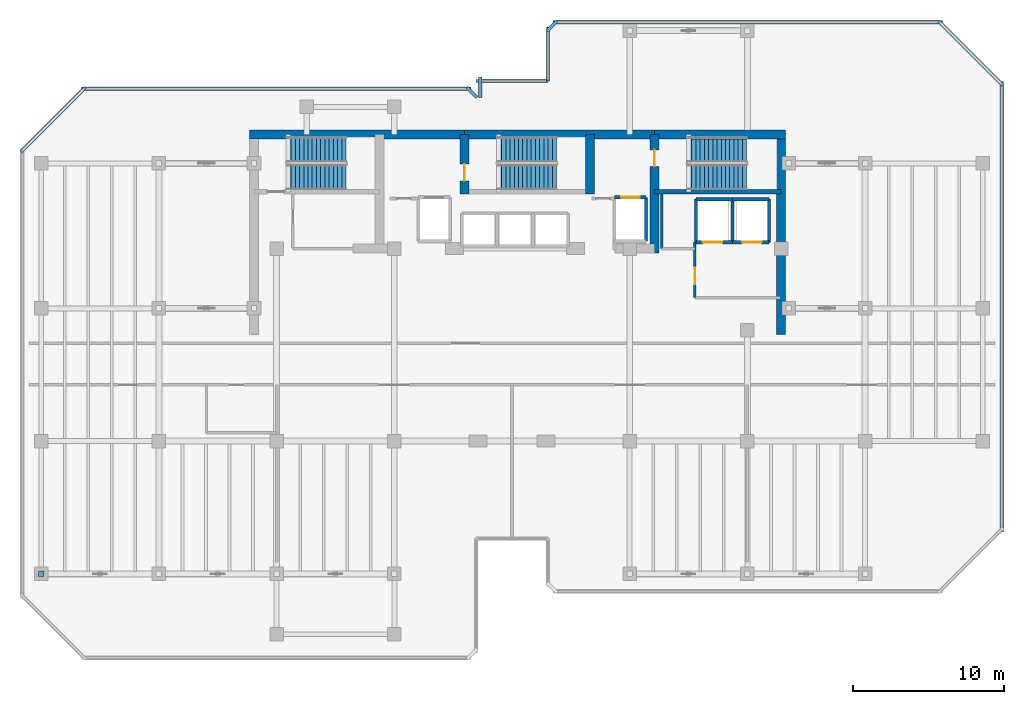
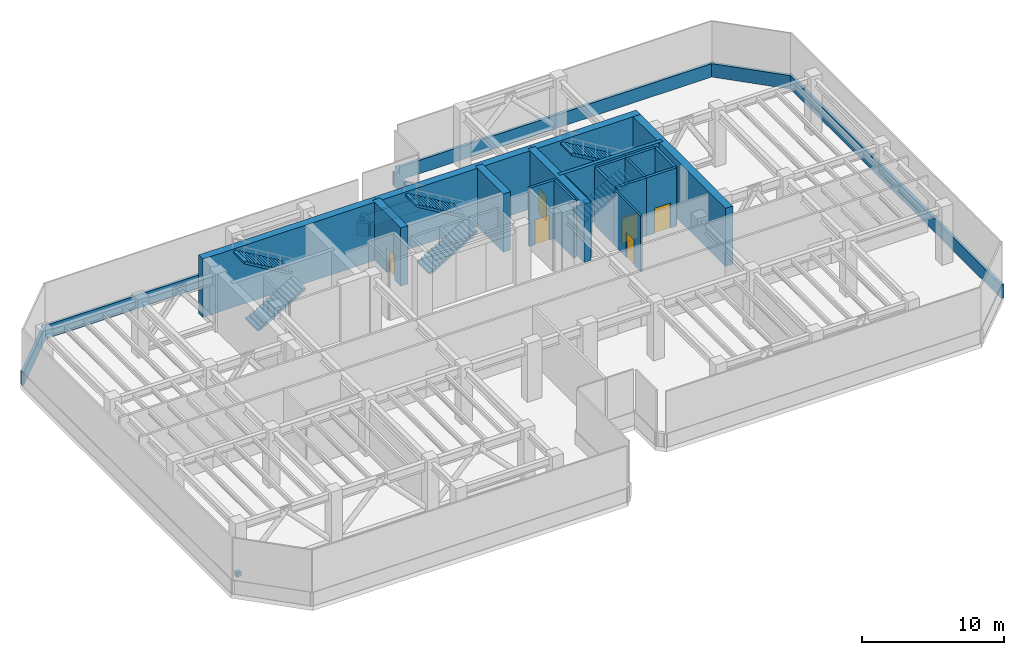
# One storey, part 4 of 9: 29 walls, 6 doors, 6 stair flights, 1 discrete accessory, 6 openings, 3 elements without a shape of their own.
"""IFC4 building model written with IfcOpenShell, lengths in metres."""

import ifcopenshell
import ifcopenshell.guid

model = None  # the IFC model being written
_history = None  # IfcOwnerHistory: only IFC2X3 demands one
_inside = {}  # id of a spatial element -> (the spatial element, [elements in it])
_under = {}  # id of a project, library or spatial element -> (it, [spatial elements below it])
_declared = {}  # id of a project -> (the project, [libraries it declares])
_typed = {}  # id of a type object -> (the type object, [elements of that type])
_made_of = {}  # id of a material, layer set ... -> (it, [elements and type objects made of it])


def new_model(schema):
    """Start an empty IFC model of exactly this schema.

    Asked for "IFC4X3", IfcOpenShell would pick the latest addendum, in which some entities
    have other attributes; the version numbers below select the first issue.
    IFC2X3 requires an IfcOwnerHistory on every rooted entity: one is made here for all.
    """
    global model, _history
    if schema == "IFC4X3":
        model = ifcopenshell.file(schema_version=(4, 3, 0, 0))
    else:
        model = ifcopenshell.file(schema=schema)
    _inside.clear()
    _under.clear()
    _declared.clear()
    _typed.clear()
    _made_of.clear()
    _history = None
    if model.schema == "IFC2X3":
        org = make("IfcOrganization", Name="unknown")
        user = make(
            "IfcPersonAndOrganization",
            ThePerson=make("IfcPerson", FamilyName="unknown"),
            TheOrganization=org,
        )
        app = make(
            "IfcApplication",
            ApplicationDeveloper=org,
            Version="unknown",
            ApplicationFullName="unknown",
            ApplicationIdentifier="unknown",
        )
        _history = make(
            "IfcOwnerHistory",
            OwningUser=user,
            OwningApplication=app,
            ChangeAction="ADDED",
            CreationDate=0,
        )
    return model


def make(cls, **values):
    """One entity of the class cls with the attributes given. An attribute that is None is left unset."""
    return model.create_entity(
        cls, **{name: value for name, value in values.items() if value is not None}
    )


def rooted(cls, **values):
    """An entity with a GlobalId (a new one), such as an element, a storey or a relation."""
    return make(cls, GlobalId=ifcopenshell.guid.new(), OwnerHistory=_history, **values)


def si_unit(unit_type, name, prefix=None):
    """IfcSIUnit, for example si_unit("LENGTHUNIT", "METRE", prefix="MILLI")."""
    return make("IfcSIUnit", UnitType=unit_type, Prefix=prefix, Name=name)


def assignment(units):
    """IfcUnitAssignment: the units of a project."""
    return None if units is None else make("IfcUnitAssignment", Units=units)


def point(xyz):
    """IfcCartesianPoint."""
    return None if xyz is None else make("IfcCartesianPoint", Coordinates=xyz)


def direction(xyz):
    """IfcDirection."""
    return None if xyz is None else make("IfcDirection", DirectionRatios=xyz)


def frame(location, z_axis=None, x_axis=None):
    """IfcAxis2Placement3D, a coordinate frame: its origin and axes. An axis left out is left unset."""
    return make(
        "IfcAxis2Placement3D",
        Location=point(location),
        Axis=direction(z_axis),
        RefDirection=direction(x_axis),
    )


def frame_2d(location, x_axis=None):
    """IfcAxis2Placement2D, a coordinate frame in the plane: its origin and x axis."""
    return make(
        "IfcAxis2Placement2D", Location=point(location), RefDirection=direction(x_axis)
    )


def origin():
    """The frame at (0, 0, 0) with its axes left unset."""
    return frame((0.0, 0.0, 0.0))


def origin_2d():
    """The frame at (0, 0) in the plane with its x axis left unset."""
    return frame_2d((0.0, 0.0))


def place(relative_to, where):
    """IfcLocalPlacement: puts the frame where relative to a parent placement (None: the world)."""
    return make(
        "IfcLocalPlacement", PlacementRelTo=relative_to, RelativePlacement=where
    )


def context(
    kind, dimensions, precision=None, world=None, true_north=None, identifier=None
):
    """IfcGeometricRepresentationContext, for example the 3D "Model" context."""
    return make(
        "IfcGeometricRepresentationContext",
        ContextIdentifier=identifier,
        ContextType=kind,
        CoordinateSpaceDimension=dimensions,
        Precision=precision,
        WorldCoordinateSystem=world,
        TrueNorth=true_north,
    )


def subcontext(parent, identifier, kind, view, scale=None):
    """IfcGeometricRepresentationSubContext, for example "Body" below "Model"."""
    return make(
        "IfcGeometricRepresentationSubContext",
        ContextIdentifier=identifier,
        ContextType=kind,
        ParentContext=parent,
        TargetScale=scale,
        TargetView=view,
    )


def project(units=None, contexts=None):
    """IfcProject with its units and contexts."""
    return rooted(
        "IfcProject",
        Name="project",
        RepresentationContexts=contexts,
        UnitsInContext=assignment(units),
    )


def spatial(cls, under=None, at=None, **own):
    """A site, building, storey or space (cls), placed at a placement, below another one or the project."""
    s = rooted(cls, ObjectPlacement=at, **own)
    if under is not None:
        _under.setdefault(under.id(), (under, []))[1].append(s)
    return s


def polyline(points):
    """IfcPolyline through the points."""
    return make("IfcPolyline", Points=[point(p) for p in points])


def profile(cls, at=None, kind="AREA", **sizes):
    """A parametric profile (cls). Its sizes go by their IFC names, for example OverallWidth=200.0."""
    return make(cls, ProfileType=kind, Position=at, **sizes)


def rectangle(**sizes):
    """IfcRectangleProfileDef."""
    return profile("IfcRectangleProfileDef", **sizes)


def outline(outer, holes=None, kind="AREA"):
    """IfcArbitraryClosedProfileDef: a profile drawn as a closed curve; with holes, ...WithVoids."""
    if holes is None:
        return make("IfcArbitraryClosedProfileDef", ProfileType=kind, OuterCurve=outer)
    return make(
        "IfcArbitraryProfileDefWithVoids",
        ProfileType=kind,
        OuterCurve=outer,
        InnerCurves=holes,
    )


def extrude(swept, where, along, depth):
    """IfcExtrudedAreaSolid: the profile swept, set in the frame where, extruded along a direction by depth."""
    return make(
        "IfcExtrudedAreaSolid",
        SweptArea=swept,
        Position=where,
        ExtrudedDirection=direction(along),
        Depth=depth,
    )


def shape(context_of_items, identifier, shape_type, items):
    """IfcShapeRepresentation: the items that make up one representation, for example the "Body"."""
    return make(
        "IfcShapeRepresentation",
        ContextOfItems=context_of_items,
        RepresentationIdentifier=identifier,
        RepresentationType=shape_type,
        Items=items,
    )


def material(Name=None, Category=None):
    """IfcMaterial."""
    return make("IfcMaterial", Name=Name, Category=Category)


def layer(
    of_material, thickness, ventilated=None, Name=None, Category=None, Priority=None
):
    """IfcMaterialLayer: one layer of a wall or slab, of a material (None: an air gap)."""
    return make(
        "IfcMaterialLayer",
        Material=of_material,
        LayerThickness=thickness,
        IsVentilated=ventilated,
        Name=Name,
        Category=Category,
        Priority=Priority,
    )


def layer_set(layers, Name=None):
    """IfcMaterialLayerSet."""
    return make("IfcMaterialLayerSet", MaterialLayers=layers, LayerSetName=Name)


def made_of(thing, what):
    """Note that an element or type object is made of a material, layer set ...; save() writes the relation."""
    if what is not None:
        _made_of.setdefault(what.id(), (what, []))[1].append(thing)
    return thing


def type_object(cls, material=None, **own):
    """A type object (cls), such as IfcWallType, which elements share."""
    return made_of(rooted(cls, **own), material)


def element(
    cls,
    number,
    at=None,
    inside=None,
    cuts=None,
    type_object=None,
    material=None,
    context=None,
    identifier="Body",
    shape_type=None,
    held_by="IfcProductDefinitionShape",
    body=None,
    shapes=None,
    **own,
):
    """One element of the class cls, such as IfcWall. Its Tag is "e" and its number.

    at: its placement. inside: the storey or other place that contains it. cuts: it is an
    opening in that element (IfcRelVoidsElement). A single representation is given by context,
    identifier, shape_type and body (its items); several are given by shapes. held_by: the class
    of the entity that holds the representations. save() writes the other relations.
    """
    e = rooted(cls, Tag="e%d" % number, ObjectPlacement=at, **own)
    if body is not None:
        shapes = [shape(context, identifier, shape_type, body)]
    if shapes is not None:
        e.Representation = make(held_by, Representations=shapes)
    if inside is not None:
        _inside.setdefault(inside.id(), (inside, []))[1].append(e)
    if cuts is not None:
        rooted(
            "IfcRelVoidsElement", RelatingBuildingElement=cuts, RelatedOpeningElement=e
        )
    if type_object is not None:
        _typed.setdefault(type_object.id(), (type_object, []))[1].append(e)
    return made_of(e, material)


def fill(opening, filler):
    """IfcRelFillsElement: the door or window that sits in an opening."""
    return rooted(
        "IfcRelFillsElement",
        RelatingOpeningElement=opening,
        RelatedBuildingElement=filler,
    )


def aggregate(whole, parts):
    """IfcRelAggregates: a whole, such as a stair, and the parts it consists of."""
    return rooted("IfcRelAggregates", RelatingObject=whole, RelatedObjects=parts)


def save(model, path):
    """Write the relations noted so far, then the file.

    IfcRelAggregates (storeys below a building ...), IfcRelContainedInSpatialStructure (elements
    in a storey), IfcRelDefinesByType, IfcRelAssociatesMaterial and IfcRelDeclares: one each for
    every whole, place, type object, material and project.
    """
    for whole, parts in _under.values():
        aggregate(whole, parts)
    for where, things in _inside.values():
        rooted(
            "IfcRelContainedInSpatialStructure",
            RelatedElements=things,
            RelatingStructure=where,
        )
    for kind, things in _typed.values():
        rooted("IfcRelDefinesByType", RelatedObjects=things, RelatingType=kind)
    for what, things in _made_of.values():
        rooted("IfcRelAssociatesMaterial", RelatedObjects=things, RelatingMaterial=what)
    for by, libraries in _declared.values():
        rooted("IfcRelDeclares", RelatingContext=by, RelatedDefinitions=libraries)
    model.write(path)


model = new_model("IFC4")

# Units and contexts
model_context = context("Model", 3, precision=1e-05, world=origin(), true_north=direction((0.0, 1.0)))
body_context = subcontext(model_context, "Body", "Model", "MODEL_VIEW")
ifc_project = project(units=[si_unit("LENGTHUNIT", "METRE"), si_unit("AREAUNIT", "SQUARE_METRE"), si_unit("VOLUMEUNIT", "CUBIC_METRE"), si_unit("PLANEANGLEUNIT", "RADIAN"), si_unit("MASSUNIT", "GRAM", prefix="KILO")], contexts=[model_context])

# Site, building, storey
site_placement = place(None, origin())
site = spatial("IfcSite", under=ifc_project, at=site_placement, CompositionType="ELEMENT")
building_placement = place(site_placement, origin())
building = spatial("IfcBuilding", under=site, at=building_placement, Name="Kestravale Grand Hotel", CompositionType="ELEMENT")
storey_placement = place(building_placement, frame((0.0, 0.0, 240.39990234375)))
storey = spatial("IfcBuildingStorey", under=building, at=storey_placement, Name="L60", CompositionType="ELEMENT", Elevation=240.39990234375)

# Walls
ifc_material_1 = material(Name="Concrete f'c 50 MPa", Category="concrete")
ifc_layer_1 = layer(ifc_material_1, 0.60009765625)
ifc_layer_set_1 = layer_set([ifc_layer_1], Name="EW-CORE-600")
wall_type_1 = type_object("IfcWallType", Name="EW-CORE-600", PredefinedType="SHEAR", material=ifc_layer_set_1)
wall_1_placement = place(storey_placement, frame((21.60009765625, 40.320068359375, 0.0), z_axis=(0.0, 0.0, 1.0), x_axis=(1.0, 0.0, 0.0)))
element("IfcWall", 1, at=wall_1_placement, inside=storey, type_object=wall_type_1, Name="L60 core shear wall N1", PredefinedType="SHEAR", context=body_context, shape_type="SweptSolid", body=[
    extrude(rectangle(XDim=14.25, YDim=0.60009765625, at=frame_2d((7.125, 0.0))), origin(), (0.0, 0.0, 1.0), 5.0),
])
wall_2_placement = place(storey_placement, frame((35.85009765625, 40.320068359375, 0.0), z_axis=(0.0, 0.0, 1.0), x_axis=(1.0, 0.0, 0.0)))
element("IfcWall", 2, at=wall_2_placement, inside=storey, type_object=wall_type_1, Name="L60 core shear wall N2", PredefinedType="SHEAR", context=body_context, shape_type="SweptSolid", body=[
    extrude(rectangle(XDim=12.599853515625, YDim=0.60009765625, at=frame_2d((6.2998046875, 0.0))), origin(), (0.0, 0.0, 1.0), 5.0),
])
wall_3_placement = place(storey_placement, frame((48.449951171875, 40.320068359375, 0.0), z_axis=(0.0, 0.0, 1.0), x_axis=(1.0, 0.0, 0.0)))
element("IfcWall", 3, at=wall_3_placement, inside=storey, type_object=wall_type_1, Name="L60 core shear wall N3", PredefinedType="SHEAR", context=body_context, shape_type="SweptSolid", body=[
    extrude(rectangle(XDim=8.670166015625, YDim=0.60009765625, at=frame_2d((4.3349609375, 0.0))), origin(), (0.0, 0.0, 1.0), 5.0),
])
wall_4_placement = place(storey_placement, frame((56.820068359375, 27.050048828125, 0.0), z_axis=(0.0, 0.0, 1.0), x_axis=(0.0, 1.0, 0.0)))
element("IfcWall", 4, at=wall_4_placement, inside=storey, type_object=wall_type_1, Name="L60 core shear wall E1", PredefinedType="SHEAR", context=body_context, shape_type="SweptSolid", body=[
    extrude(rectangle(XDim=13.570068359375, YDim=0.60009765625, at=frame_2d((6.78515625, 0.0))), origin(), (0.0, 0.0, 1.0), 5.0),
])

# Wall, opening, door
wall_5_placement = place(storey_placement, frame((35.85009765625, 36.3701171875, 0.0), z_axis=(0.0, 0.0, 1.0), x_axis=(0.0, 1.0, 0.0)))
wall_5 = element("IfcWall", 5, at=wall_5_placement, inside=storey, type_object=wall_type_1, Name="L60 core shear wall X2", PredefinedType="SHEAR", context=body_context, shape_type="SweptSolid", body=[
    extrude(rectangle(XDim=3.949951171875, YDim=0.60009765625, at=frame_2d((1.97509765625, 0.0))), origin(), (0.0, 0.0, 1.0), 5.0),
])
opening_1_placement = place(wall_5_placement, frame((0.8798828125, 0.0, 0.0)))
opening_1 = element("IfcOpeningElement", 6, at=opening_1_placement, cuts=wall_5, Name="Opening D-ST-1100", PredefinedType="OPENING", context=body_context, shape_type="SweptSolid", body=[
    extrude(rectangle(XDim=1.10009765625, YDim=2.14990234375, at=frame_2d((0.550048828125, 1.074951171875))), frame((0.0, 0.31005859375, 0.0), z_axis=(0.0, -1.0, 0.0), x_axis=(1.0, 0.0, 0.0)), (0.0, 0.0, 1.0), 0.6201171875),
])
ifc_material_2 = material(Name="Galvanised 90-minute fire-rated steel stair door", Category="steel")
door_type_1 = type_object("IfcDoorType", Name="D-ST-1100", OperationType="NOTDEFINED", PredefinedType="DOOR", material=ifc_material_2)
door_1_placement = place(opening_1_placement, origin())
door_1 = element("IfcDoor", 7, at=door_1_placement, inside=storey, type_object=door_type_1, Name="L60 Stair ST-2 FSAE fire door", OperationType="SINGLE_SWING_RIGHT", OverallHeight=2.14990234375, OverallWidth=1.10009765625, PredefinedType="DOOR", context=body_context, shape_type="SweptSolid", body=[
    extrude(rectangle(XDim=1.10009765625, YDim=2.14990234375, at=frame_2d((0.550048828125, 1.074951171875))), frame((0.0, 0.02490234375, 0.0), z_axis=(0.0, -1.0, 0.0), x_axis=(1.0, 0.0, 0.0)), (0.0, 0.0, 1.0), 0.050048828125),
])
fill(opening_1, door_1)

# Wall
wall_6_placement = place(storey_placement, frame((44.179931640625, 36.3701171875, 0.0), z_axis=(0.0, 0.0, 1.0), x_axis=(0.0, 1.0, 0.0)))
element("IfcWall", 8, at=wall_6_placement, inside=storey, type_object=wall_type_1, Name="L60 core shear wall X3", PredefinedType="SHEAR", context=body_context, shape_type="SweptSolid", body=[
    extrude(rectangle(XDim=3.949951171875, YDim=0.60009765625, at=frame_2d((1.97509765625, 0.0))), origin(), (0.0, 0.0, 1.0), 5.0),
])

# Wall, opening, door
wall_7_placement = place(storey_placement, frame((48.449951171875, 32.449951171875, 0.0), z_axis=(0.0, 0.0, 1.0), x_axis=(0.0, 1.0, 0.0)))
wall_7 = element("IfcWall", 9, at=wall_7_placement, inside=storey, type_object=wall_type_1, Name="L60 core shear wall X4", PredefinedType="SHEAR", context=body_context, shape_type="SweptSolid", body=[
    extrude(rectangle(XDim=7.8701171875, YDim=0.60009765625, at=frame_2d((3.93505859375, 0.0))), origin(), (0.0, 0.0, 1.0), 5.0),
])
opening_2_placement = place(wall_7_placement, frame((5.75, 0.0, 0.0)))
opening_2 = element("IfcOpeningElement", 10, at=opening_2_placement, cuts=wall_7, Name="Opening D-ST-1100", PredefinedType="OPENING", context=body_context, shape_type="SweptSolid", body=[
    extrude(rectangle(XDim=1.10009765625, YDim=2.14990234375, at=frame_2d((0.550048828125, 1.074951171875))), frame((0.0, 0.31005859375, 0.0), z_axis=(0.0, -1.0, 0.0), x_axis=(1.0, 0.0, 0.0)), (0.0, 0.0, 1.0), 0.6201171875),
])
door_2_placement = place(opening_2_placement, origin())
door_2 = element("IfcDoor", 11, at=door_2_placement, inside=storey, type_object=door_type_1, Name="L60 Stair ST-3 FSAE fire door", OperationType="SINGLE_SWING_RIGHT", OverallHeight=2.14990234375, OverallWidth=1.10009765625, PredefinedType="DOOR", context=body_context, shape_type="SweptSolid", body=[
    extrude(rectangle(XDim=1.10009765625, YDim=2.14990234375, at=frame_2d((0.550048828125, 1.074951171875))), frame((0.0, 0.02490234375, 0.0), z_axis=(0.0, -1.0, 0.0), x_axis=(1.0, 0.0, 0.0)), (0.0, 0.0, 1.0), 0.050048828125),
])
fill(opening_2, door_2)

# Walls
ifc_material_3 = material(Name="Precast concrete f'c 45 MPa", Category="concrete")
ifc_layer_2 = layer(ifc_material_3, 0.219970703125)
ifc_layer_set_2 = layer_set([ifc_layer_2], Name="EW-PAR-220")
wall_type_2 = type_object("IfcWallType", Name="EW-PAR-220", PredefinedType="PARAPET", material=ifc_layer_set_2)
wall_8_placement = place(storey_placement, frame((71.4599609375, 13.9599609375, 0.0), z_axis=(0.0, 0.0, 1.0), x_axis=(0.0, 1.0, 0.0)))
element("IfcWall", 12, at=wall_8_placement, inside=storey, type_object=wall_type_2, Name="L60 refuge band parapet wall 9", PredefinedType="PARAPET", context=body_context, shape_type="SweptSolid", body=[
    extrude(rectangle(XDim=29.880126953125, YDim=0.219970703125, at=frame_2d((14.93994140625, 0.0))), origin(), (0.0, 0.0, 1.0), 1.150146484375),
])
wall_9_placement = place(storey_placement, frame((71.529296875, 43.57275390625, 0.0), z_axis=(0.0, 0.0, 1.0), x_axis=(-0.707106781187, 0.707106781187, 0.0)))
element("IfcWall", 13, at=wall_9_placement, inside=storey, type_object=wall_type_2, Name="L60 refuge band parapet wall 10", PredefinedType="PARAPET", context=body_context, shape_type="SweptSolid", body=[
    extrude(rectangle(XDim=6.019775390625, YDim=0.219970703125, at=frame_2d((3.009765625, 0.0))), origin(), (0.0, 0.0, 1.0), 1.150146484375),
])
wall_10_placement = place(storey_placement, frame((67.5400390625, 47.760009765625, 0.0), z_axis=(0.0, 0.0, 1.0), x_axis=(-1.0, 0.0, 0.0)))
element("IfcWall", 14, at=wall_10_placement, inside=storey, type_object=wall_type_2, Name="L60 refuge band parapet wall 11", PredefinedType="PARAPET", context=body_context, shape_type="SweptSolid", body=[
    extrude(rectangle(XDim=25.830078125, YDim=0.219970703125, at=frame_2d((12.9150390625, 0.0))), origin(), (0.0, 0.0, 1.0), 1.150146484375),
])
wall_11_placement = place(storey_placement, frame((41.977294921875, 47.829345703125, 0.0), z_axis=(0.0, 0.0, 1.0), x_axis=(-0.706975312048, -0.707238225886, 0.0)))
element("IfcWall", 15, at=wall_11_placement, inside=storey, type_object=wall_type_2, Name="L60 refuge band parapet wall 12", PredefinedType="PARAPET", context=body_context, shape_type="SweptSolid", body=[
    extrude(rectangle(XDim=0.9287109375, YDim=0.219970703125, at=frame_2d((0.46435546875, 0.0))), origin(), (0.0, 0.0, 1.0), 1.150146484375),
])
wall_12_placement = place(storey_placement, frame((41.389892578125, 47.43994140625, 0.0), z_axis=(0.0, 0.0, 1.0), x_axis=(0.0, -1.0, 0.0)))
element("IfcWall", 16, at=wall_12_placement, inside=storey, type_object=wall_type_2, Name="L60 refuge band parapet wall 13", PredefinedType="PARAPET", context=body_context, shape_type="SweptSolid", body=[
    extrude(rectangle(XDim=3.579833984375, YDim=0.219970703125, at=frame_2d((1.7900390625, 0.0))), origin(), (0.0, 0.0, 1.0), 1.150146484375),
])
wall_13_placement = place(storey_placement, frame((41.389892578125, 43.860107421875, 0.0), z_axis=(0.0, 0.0, 1.0), x_axis=(-1.0, 0.0, 0.0)))
element("IfcWall", 17, at=wall_13_placement, inside=storey, type_object=wall_type_2, Name="L60 refuge band parapet wall 14", PredefinedType="PARAPET", context=body_context, shape_type="SweptSolid", body=[
    extrude(rectangle(XDim=4.77978515625, YDim=0.219970703125, at=frame_2d((2.389892578125, 0.0))), origin(), (0.0, 0.0, 1.0), 1.150146484375),
])
wall_14_placement = place(storey_placement, frame((36.889892578125, 44.139892578125, 0.0), z_axis=(0.0, 0.0, 1.0), x_axis=(0.0, -1.0, 0.0)))
element("IfcWall", 18, at=wall_14_placement, inside=storey, type_object=wall_type_2, Name="L60 refuge band parapet wall 15", PredefinedType="PARAPET", context=body_context, shape_type="SweptSolid", body=[
    extrude(rectangle(XDim=1.3798828125, YDim=0.219970703125, at=frame_2d((0.68994140625, 0.0))), origin(), (0.0, 0.0, 1.0), 1.150146484375),
])
wall_15_placement = place(storey_placement, frame((36.67919921875, 42.772705078125, 0.0), z_axis=(0.0, 0.0, 1.0), x_axis=(-0.707106781187, 0.707106781187, 0.0)))
element("IfcWall", 19, at=wall_15_placement, inside=storey, type_object=wall_type_2, Name="L60 refuge band parapet wall 16", PredefinedType="PARAPET", context=body_context, shape_type="SweptSolid", body=[
    extrude(rectangle(XDim=0.928466796875, YDim=0.219970703125, at=frame_2d((0.46435546875, 0.0))), origin(), (0.0, 0.0, 1.0), 1.150146484375),
])
wall_16_placement = place(storey_placement, frame((36.2900390625, 43.360107421875, 0.0), z_axis=(0.0, 0.0, 1.0), x_axis=(-1.0, 0.0, 0.0)))
element("IfcWall", 20, at=wall_16_placement, inside=storey, type_object=wall_type_2, Name="L60 refuge band parapet wall 17", PredefinedType="PARAPET", context=body_context, shape_type="SweptSolid", body=[
    extrude(rectangle(XDim=25.830078125, YDim=0.219970703125, at=frame_2d((12.9150390625, 0.0))), origin(), (0.0, 0.0, 1.0), 1.150146484375),
])
wall_17_placement = place(storey_placement, frame((10.727294921875, 43.42919921875, 0.0), z_axis=(0.0, 0.0, 1.0), x_axis=(-0.707106781187, -0.707106781187, 0.0)))
element("IfcWall", 21, at=wall_17_placement, inside=storey, type_object=wall_type_2, Name="L60 refuge band parapet wall 18", PredefinedType="PARAPET", context=body_context, shape_type="SweptSolid", body=[
    extrude(rectangle(XDim=6.019775390625, YDim=0.219970703125, at=frame_2d((3.009765625, 0.0))), origin(), (0.0, 0.0, 1.0), 1.150146484375),
])
ifc_material_4 = material(Name="Concrete f'c 45 MPa", Category="concrete")
ifc_layer_3 = layer(ifc_material_4, 0.300048828125)
ifc_layer_set_3 = layer_set([ifc_layer_3], Name="EW-STAIR-300")
wall_type_3 = type_object("IfcWallType", Name="EW-STAIR-300", PredefinedType="SHEAR", material=ifc_layer_set_3)
wall_18_placement = place(storey_placement, frame((48.449951171875, 36.52001953125, 0.0), z_axis=(0.0, 0.0, 1.0), x_axis=(1.0, 0.0, 0.0)))
element("IfcWall", 22, at=wall_18_placement, inside=storey, type_object=wall_type_3, Name="L60 stair enclosure shear wall SST3", PredefinedType="SHEAR", context=body_context, shape_type="SweptSolid", body=[
    extrude(rectangle(XDim=8.3701171875, YDim=0.300048828125, at=frame_2d((4.18505859375, 0.0))), origin(), (0.0, 0.0, 1.0), 5.0),
])

# Wall, opening, door
ifc_material_5 = material(Name="Acoustic fire-rated gypsum board partition", Category="other")
ifc_layer_4 = layer(ifc_material_5, 0.159912109375)
ifc_layer_set_4 = layer_set([ifc_layer_4], Name="IW-CORR-160")
wall_type_4 = type_object("IfcWallType", Name="IW-CORR-160", PredefinedType="PARTITIONING", material=ifc_layer_set_4)
wall_19_placement = place(storey_placement, frame((51.1201171875, 29.5, 0.0), z_axis=(0.0, 0.0, 1.0), x_axis=(0.0, 1.0, 0.0)))
wall_19 = element("IfcWall", 23, at=wall_19_placement, inside=storey, type_object=wall_type_4, Name="W-L60-SVCLOB-W", PredefinedType="PARTITIONING", context=body_context, shape_type="SweptSolid", body=[
    extrude(rectangle(XDim=3.699951171875, YDim=0.159912109375, at=frame_2d((1.85009765625, 0.0))), origin(), (0.0, 0.0, 1.0), 4.760009765625),
])
opening_3_placement = place(wall_19_placement, frame((0.89990234375, 0.0, 0.0)))
opening_3 = element("IfcOpeningElement", 24, at=opening_3_placement, cuts=wall_19, Name="Opening D-CORR-1100", PredefinedType="OPENING", context=body_context, shape_type="SweptSolid", body=[
    extrude(rectangle(XDim=1.10009765625, YDim=2.14990234375, at=frame_2d((0.550048828125, 1.074951171875))), frame((0.0, 0.08984375, 0.0), z_axis=(0.0, -1.0, 0.0), x_axis=(1.0, 0.0, 0.0)), (0.0, 0.0, 1.0), 0.179931640625),
])
ifc_material_6 = material(Name="Single-leaf service vestibule fire door", Category="steel")
door_type_2 = type_object("IfcDoorType", Name="D-CORR-1100", OperationType="NOTDEFINED", PredefinedType="DOOR", material=ifc_material_6)
door_3_placement = place(opening_3_placement, origin())
door_3 = element("IfcDoor", 25, at=door_3_placement, inside=storey, type_object=door_type_2, Name="L60 service lift lobby door", OperationType="SINGLE_SWING_LEFT", OverallHeight=2.14990234375, OverallWidth=1.10009765625, PredefinedType="DOOR", context=body_context, shape_type="SweptSolid", body=[
    extrude(rectangle(XDim=1.10009765625, YDim=2.14990234375, at=frame_2d((0.550048828125, 1.074951171875))), frame((0.0, 0.02490234375, 0.0), z_axis=(0.0, -1.0, 0.0), x_axis=(1.0, 0.0, 0.0)), (0.0, 0.0, 1.0), 0.050048828125),
])
fill(opening_3, door_3)

# Walls
ifc_material_7 = material(Name="Concrete f'c 45 MPa", Category="concrete")
ifc_layer_5 = layer(ifc_material_7, 0.199951171875)
ifc_layer_set_5 = layer_set([ifc_layer_5], Name="IW-SHAFT-200")
wall_type_5 = type_object("IfcWallType", Name="IW-SHAFT-200", PredefinedType="SHEAR", material=ifc_layer_set_5)
for number, where, z_axis, x_axis, name in (
    (26, (51.179931640625, 33.169921875, 0.0), (0.0, 0.0, 1.0), (0.0, 1.0, 0.0), "L60 SL-1 west shaft wall"),
    (27, (53.60009765625, 33.169921875, 0.0), (0.0, 0.0, 1.0), (0.0, 1.0, 0.0), "L60 SL-2 west shaft wall"),
    (28, (56.02001953125, 33.169921875, 0.0), (0.0, 0.0, 1.0), (0.0, 1.0, 0.0), "L60 SL-2 east shaft wall"),
):
    element("IfcWall", number, at=place(storey_placement, frame(where, z_axis=z_axis, x_axis=x_axis)), inside=storey, type_object=wall_type_5, Name=name, PredefinedType="SHEAR", context=body_context, shape_type="SweptSolid", body=[
        extrude(rectangle(XDim=2.860107421875, YDim=0.199951171875, at=frame_2d((1.43017578125, 0.0))), origin(), (0.0, 0.0, 1.0), 5.0),
    ])
wall_20_placement = place(storey_placement, frame((47.89501953125, 33.2451171875, 0.0), z_axis=(0.0, 0.0, 1.0), x_axis=(0.0, 1.0, 0.0)))
element("IfcWall", 29, at=wall_20_placement, inside=storey, type_object=wall_type_5, Name="L60 FL-2 east shaft wall", PredefinedType="SHEAR", context=body_context, shape_type="SweptSolid", body=[
    extrude(rectangle(XDim=2.909912109375, YDim=0.199951171875, at=frame_2d((1.455078125, 0.0))), origin(), (0.0, 0.0, 1.0), 5.0),
])
ifc_material_8 = material(Name="Concrete f'c 45 MPa", Category="concrete")
ifc_layer_6 = layer(ifc_material_8, 0.219970703125)
ifc_layer_set_6 = layer_set([ifc_layer_6], Name="IW-SHAFT-220")
wall_type_6 = type_object("IfcWallType", Name="IW-SHAFT-220", PredefinedType="SHEAR", material=ifc_layer_set_6)
wall_21_placement = place(storey_placement, frame((51.179931640625, 36.030029296875, 0.0), z_axis=(0.0, 0.0, 1.0), x_axis=(1.0, 0.0, 0.0)))
element("IfcWall", 30, at=wall_21_placement, inside=storey, type_object=wall_type_6, Name="L60 SL-1 north shaft wall", PredefinedType="SHEAR", context=body_context, shape_type="SweptSolid", body=[
    extrude(rectangle(XDim=2.420166015625, YDim=0.219970703125, at=frame_2d((1.2099609375, 0.0))), origin(), (0.0, 0.0, 1.0), 5.0),
])

# Wall, opening, door
wall_22_placement = place(storey_placement, frame((51.179931640625, 33.169921875, 0.0), z_axis=(0.0, 0.0, 1.0), x_axis=(1.0, 0.0, 0.0)))
wall_22 = element("IfcWall", 31, at=wall_22_placement, inside=storey, type_object=wall_type_6, Name="L60 SL-1 south shaft wall", PredefinedType="SHEAR", context=body_context, shape_type="SweptSolid", body=[
    extrude(rectangle(XDim=2.420166015625, YDim=0.219970703125, at=frame_2d((1.2099609375, 0.0))), origin(), (0.0, 0.0, 1.0), 5.0),
])
opening_4_placement = place(wall_22_placement, frame((0.469970703125, 0.0, 0.0)))
opening_4 = element("IfcOpeningElement", 32, at=opening_4_placement, cuts=wall_22, Name="Opening LD-SVC-1300", PredefinedType="OPENING", context=body_context, shape_type="SweptSolid", body=[
    extrude(rectangle(XDim=1.300048828125, YDim=2.14990234375, at=frame_2d((0.64990234375, 1.074951171875))), frame((0.0, 0.119873046875, 0.0), z_axis=(0.0, -1.0, 0.0), x_axis=(1.0, 0.0, 0.0)), (0.0, 0.0, 1.0), 0.239990234375),
])
ifc_material_9 = material(Name="Heavy-duty service sliding elevator landing door", Category="steel")
door_type_3 = type_object("IfcDoorType", Name="LD-SVC-1300", OperationType="NOTDEFINED", PredefinedType="DOOR", material=ifc_material_9)
door_4_placement = place(opening_4_placement, origin())
door_4 = element("IfcDoor", 33, at=door_4_placement, inside=storey, type_object=door_type_3, Name="L60 SL-1 elevator landing sliding door", OperationType="DOUBLE_DOOR_SLIDING", OverallHeight=2.14990234375, OverallWidth=1.300048828125, PredefinedType="DOOR", context=body_context, shape_type="SweptSolid", body=[
    extrude(rectangle(XDim=1.300048828125, YDim=2.14990234375, at=frame_2d((0.64990234375, 1.074951171875))), frame((0.0, 0.02490234375, 0.0), z_axis=(0.0, -1.0, 0.0), x_axis=(1.0, 0.0, 0.0)), (0.0, 0.0, 1.0), 0.050048828125),
])
fill(opening_4, door_4)

# Wall
wall_23_placement = place(storey_placement, frame((53.60009765625, 36.030029296875, 0.0), z_axis=(0.0, 0.0, 1.0), x_axis=(1.0, 0.0, 0.0)))
element("IfcWall", 34, at=wall_23_placement, inside=storey, type_object=wall_type_6, Name="L60 SL-2 north shaft wall", PredefinedType="SHEAR", context=body_context, shape_type="SweptSolid", body=[
    extrude(rectangle(XDim=2.419921875, YDim=0.219970703125, at=frame_2d((1.2099609375, 0.0))), origin(), (0.0, 0.0, 1.0), 5.0),
])

# Wall, opening, door
wall_24_placement = place(storey_placement, frame((53.60009765625, 33.169921875, 0.0), z_axis=(0.0, 0.0, 1.0), x_axis=(1.0, 0.0, 0.0)))
wall_24 = element("IfcWall", 35, at=wall_24_placement, inside=storey, type_object=wall_type_6, Name="L60 SL-2 south shaft wall", PredefinedType="SHEAR", context=body_context, shape_type="SweptSolid", body=[
    extrude(rectangle(XDim=2.419921875, YDim=0.219970703125, at=frame_2d((1.2099609375, 0.0))), origin(), (0.0, 0.0, 1.0), 5.0),
])
opening_5_placement = place(wall_24_placement, frame((0.64990234375, 0.0, 0.0)))
opening_5 = element("IfcOpeningElement", 36, at=opening_5_placement, cuts=wall_24, Name="Opening LD-SVC-1300", PredefinedType="OPENING", context=body_context, shape_type="SweptSolid", body=[
    extrude(rectangle(XDim=1.300048828125, YDim=2.14990234375, at=frame_2d((0.64990234375, 1.074951171875))), frame((0.0, 0.119873046875, 0.0), z_axis=(0.0, -1.0, 0.0), x_axis=(1.0, 0.0, 0.0)), (0.0, 0.0, 1.0), 0.239990234375),
])
door_5_placement = place(opening_5_placement, origin())
door_5 = element("IfcDoor", 37, at=door_5_placement, inside=storey, type_object=door_type_3, Name="L60 SL-2 elevator landing sliding door", OperationType="DOUBLE_DOOR_SLIDING", OverallHeight=2.14990234375, OverallWidth=1.300048828125, PredefinedType="DOOR", context=body_context, shape_type="SweptSolid", body=[
    extrude(rectangle(XDim=1.300048828125, YDim=2.14990234375, at=frame_2d((0.64990234375, 1.074951171875))), frame((0.0, 0.02490234375, 0.0), z_axis=(0.0, -1.0, 0.0), x_axis=(1.0, 0.0, 0.0)), (0.0, 0.0, 1.0), 0.050048828125),
])
fill(opening_5, door_5)

wall_25_placement = place(storey_placement, frame((45.804931640625, 36.155029296875, 0.0), z_axis=(0.0, 0.0, 1.0), x_axis=(1.0, 0.0, 0.0)))
wall_25 = element("IfcWall", 38, at=wall_25_placement, inside=storey, type_object=wall_type_6, Name="L60 FL-2 north shaft wall", PredefinedType="SHEAR", context=body_context, shape_type="SweptSolid", body=[
    extrude(rectangle(XDim=2.090087890625, YDim=0.219970703125, at=frame_2d((1.044921875, 0.0))), origin(), (0.0, 0.0, 1.0), 5.0),
])
opening_6_placement = place(wall_25_placement, frame((0.445068359375, 0.0, 0.0)))
opening_6 = element("IfcOpeningElement", 39, at=opening_6_placement, cuts=wall_25, Name="Opening LD-FSAE-1200", PredefinedType="OPENING", context=body_context, shape_type="SweptSolid", body=[
    extrude(rectangle(XDim=1.199951171875, YDim=2.14990234375, at=frame_2d((0.60009765625, 1.074951171875))), frame((0.0, 0.119873046875, 0.0), z_axis=(0.0, -1.0, 0.0), x_axis=(1.0, 0.0, 0.0)), (0.0, 0.0, 1.0), 0.239990234375),
])
ifc_material_10 = material(Name="Stainless fire-service sliding elevator landing door", Category="steel")
door_type_4 = type_object("IfcDoorType", Name="LD-FSAE-1200", OperationType="NOTDEFINED", PredefinedType="DOOR", material=ifc_material_10)
door_6_placement = place(opening_6_placement, origin())
door_6 = element("IfcDoor", 40, at=door_6_placement, inside=storey, type_object=door_type_4, Name="L60 FL-2 elevator landing sliding door", OperationType="DOUBLE_DOOR_SLIDING", OverallHeight=2.14990234375, OverallWidth=1.199951171875, PredefinedType="DOOR", context=body_context, shape_type="SweptSolid", body=[
    extrude(rectangle(XDim=1.199951171875, YDim=2.14990234375, at=frame_2d((0.60009765625, 1.074951171875))), frame((0.0, 0.02490234375, 0.0), z_axis=(0.0, -1.0, 0.0), x_axis=(1.0, 0.0, 0.0)), (0.0, 0.0, 1.0), 0.050048828125),
])
fill(opening_6, door_6)

# Wall
ifc_material_11 = material(Name="Double-stud STC 52 acoustic demising partition", Category="other")
ifc_layer_7 = layer(ifc_material_11, 0.14990234375)
ifc_layer_set_7 = layer_set([ifc_layer_7], Name="IW-UNIT-150")
wall_type_7 = type_object("IfcWallType", Name="IW-UNIT-150", PredefinedType="PARTITIONING", material=ifc_layer_set_7)
wall_26_placement = place(storey_placement, frame((48.919921875, 32.75, 0.0), z_axis=(0.0, 0.0, 1.0), x_axis=(0.0, 1.0, 0.0)))
element("IfcWall", 41, at=wall_26_placement, inside=storey, type_object=wall_type_7, Name="W-L60-CEW", PredefinedType="PARTITIONING", context=body_context, shape_type="SweptSolid", body=[
    extrude(rectangle(XDim=3.6201171875, YDim=0.14990234375, at=frame_2d((1.81005859375, 0.0))), origin(), (0.0, 0.0, 1.0), 4.760009765625),
])

# Stair, stair flights
ifc_material_12 = material(Name="Concrete f'c 45 MPa", Category="concrete")
stair_type = type_object("IfcStairType", Name="ST-CORE-500", PredefinedType="HALF_TURN_STAIR", material=ifc_material_12)
stair_1_placement = place(storey_placement, origin())
stair_1 = element("IfcStair", 42, at=stair_1_placement, inside=storey, type_object=stair_type, Name="L60 ST-1", PredefinedType="HALF_TURN_STAIR")
ifc_material_13 = material(Name="Concrete f'c 45 MPa", Category="concrete")
stair_flight_type = type_object("IfcStairFlightType", Name="STF-CORE-500", PredefinedType="STRAIGHT", material=ifc_material_13)
stair_flight_1_placement = place(storey_placement, frame((24.080078125, 37.489990234375, 0.0), z_axis=(0.0, 0.0, 1.0), x_axis=(1.0, 0.0, 0.0)))
stair_flight_1 = element("IfcStairFlight", 43, at=stair_flight_1_placement, type_object=stair_flight_type, Name="ST-1 flight 1", NumberOfRisers=15, NumberOfTreads=14, PredefinedType="STRAIGHT", RiserHeight=0.166666667, TreadLength=0.28, context=body_context, shape_type="SweptSolid", body=[
    extrude(outline(polyline([(0.0, 0.0), (0.0, 0.166748046875), (0.280029296875, 0.166748046875), (0.280029296875, 0.333251953125), (0.56005859375, 0.333251953125), (0.56005859375, 0.5), (0.840087890625, 0.5), (0.840087890625, 0.666748046875), (1.1201171875, 0.666748046875), (1.1201171875, 0.833251953125), (1.39990234375, 0.833251953125), (1.39990234375, 1.0), (1.679931640625, 1.0), (1.679931640625, 1.166748046875), (1.9599609375, 1.166748046875), (1.9599609375, 1.333251953125), (2.239990234375, 1.333251953125), (2.239990234375, 1.5), (2.52001953125, 1.5), (2.52001953125, 1.666748046875), (2.800048828125, 1.666748046875), (2.800048828125, 1.833251953125), (3.080078125, 1.833251953125), (3.080078125, 2.0), (3.360107421875, 2.0), (3.360107421875, 2.166748046875), (3.639892578125, 2.166748046875), (3.639892578125, 2.333251953125), (3.919921875, 2.333251953125), (3.919921875, 2.5), (3.919921875, 2.158935546875), (0.29296875, 0.0), (0.0, 0.0)])), frame((0.0, 0.83984375, 0.0), z_axis=(0.0, -1.0, 0.0), x_axis=(1.0, 0.0, 0.0)), (0.0, 0.0, 1.0), 1.679931640625),
])
stair_flight_2_placement = place(storey_placement, frame((28.0, 39.320068359375, 2.5), z_axis=(0.0, 0.0, 1.0), x_axis=(-1.0, 0.0, 0.0)))
stair_flight_2 = element("IfcStairFlight", 44, at=stair_flight_2_placement, type_object=stair_flight_type, Name="ST-1 flight 2", NumberOfRisers=15, NumberOfTreads=14, PredefinedType="STRAIGHT", RiserHeight=0.166666667, TreadLength=0.28, context=body_context, shape_type="SweptSolid", body=[
    extrude(outline(polyline([(0.0, 0.0), (0.0, 0.166748046875), (0.280029296875, 0.166748046875), (0.280029296875, 0.333251953125), (0.56005859375, 0.333251953125), (0.56005859375, 0.5), (0.840087890625, 0.5), (0.840087890625, 0.666748046875), (1.1201171875, 0.666748046875), (1.1201171875, 0.833251953125), (1.39990234375, 0.833251953125), (1.39990234375, 1.0), (1.679931640625, 1.0), (1.679931640625, 1.166748046875), (1.9599609375, 1.166748046875), (1.9599609375, 1.333251953125), (2.239990234375, 1.333251953125), (2.239990234375, 1.5), (2.52001953125, 1.5), (2.52001953125, 1.666748046875), (2.800048828125, 1.666748046875), (2.800048828125, 1.833251953125), (3.080078125, 1.833251953125), (3.080078125, 2.0), (3.360107421875, 2.0), (3.360107421875, 2.166748046875), (3.639892578125, 2.166748046875), (3.639892578125, 2.333251953125), (3.919921875, 2.333251953125), (3.919921875, 2.5), (3.919921875, 2.158935546875), (0.29296875, 0.0), (0.0, 0.0)])), frame((0.0, 0.83984375, 0.0), z_axis=(0.0, -1.0, 0.0), x_axis=(1.0, 0.0, 0.0)), (0.0, 0.0, 1.0), 1.679931640625),
])
aggregate(stair_1, [stair_flight_1, stair_flight_2])

stair_2_placement = place(storey_placement, origin())
stair_2 = element("IfcStair", 45, at=stair_2_placement, inside=storey, type_object=stair_type, Name="L60 ST-2", PredefinedType="HALF_TURN_STAIR")
stair_flight_3_placement = place(storey_placement, frame((38.030029296875, 37.489990234375, 0.0), z_axis=(0.0, 0.0, 1.0), x_axis=(1.0, 0.0, 0.0)))
stair_flight_3 = element("IfcStairFlight", 46, at=stair_flight_3_placement, type_object=stair_flight_type, Name="ST-2 flight 1", NumberOfRisers=15, NumberOfTreads=14, PredefinedType="STRAIGHT", RiserHeight=0.166666667, TreadLength=0.28, context=body_context, shape_type="SweptSolid", body=[
    extrude(outline(polyline([(0.0, 0.0), (0.0, 0.166748046875), (0.280029296875, 0.166748046875), (0.280029296875, 0.333251953125), (0.56005859375, 0.333251953125), (0.56005859375, 0.5), (0.840087890625, 0.5), (0.840087890625, 0.666748046875), (1.1201171875, 0.666748046875), (1.1201171875, 0.833251953125), (1.39990234375, 0.833251953125), (1.39990234375, 1.0), (1.679931640625, 1.0), (1.679931640625, 1.166748046875), (1.9599609375, 1.166748046875), (1.9599609375, 1.333251953125), (2.239990234375, 1.333251953125), (2.239990234375, 1.5), (2.52001953125, 1.5), (2.52001953125, 1.666748046875), (2.800048828125, 1.666748046875), (2.800048828125, 1.833251953125), (3.080078125, 1.833251953125), (3.080078125, 2.0), (3.360107421875, 2.0), (3.360107421875, 2.166748046875), (3.639892578125, 2.166748046875), (3.639892578125, 2.333251953125), (3.919921875, 2.333251953125), (3.919921875, 2.5), (3.919921875, 2.158935546875), (0.29296875, 0.0), (0.0, 0.0)])), frame((0.0, 0.83984375, 0.0), z_axis=(0.0, -1.0, 0.0), x_axis=(1.0, 0.0, 0.0)), (0.0, 0.0, 1.0), 1.679931640625),
])
stair_flight_4_placement = place(storey_placement, frame((41.949951171875, 39.320068359375, 2.5), z_axis=(0.0, 0.0, 1.0), x_axis=(-1.0, 0.0, 0.0)))
stair_flight_4 = element("IfcStairFlight", 47, at=stair_flight_4_placement, type_object=stair_flight_type, Name="ST-2 flight 2", NumberOfRisers=15, NumberOfTreads=14, PredefinedType="STRAIGHT", RiserHeight=0.166666667, TreadLength=0.28, context=body_context, shape_type="SweptSolid", body=[
    extrude(outline(polyline([(0.0, 0.0), (0.0, 0.166748046875), (0.280029296875, 0.166748046875), (0.280029296875, 0.333251953125), (0.56005859375, 0.333251953125), (0.56005859375, 0.5), (0.840087890625, 0.5), (0.840087890625, 0.666748046875), (1.1201171875, 0.666748046875), (1.1201171875, 0.833251953125), (1.39990234375, 0.833251953125), (1.39990234375, 1.0), (1.679931640625, 1.0), (1.679931640625, 1.166748046875), (1.9599609375, 1.166748046875), (1.9599609375, 1.333251953125), (2.239990234375, 1.333251953125), (2.239990234375, 1.5), (2.52001953125, 1.5), (2.52001953125, 1.666748046875), (2.800048828125, 1.666748046875), (2.800048828125, 1.833251953125), (3.080078125, 1.833251953125), (3.080078125, 2.0), (3.360107421875, 2.0), (3.360107421875, 2.166748046875), (3.639892578125, 2.166748046875), (3.639892578125, 2.333251953125), (3.919921875, 2.333251953125), (3.919921875, 2.5), (3.919921875, 2.158935546875), (0.29296875, 0.0), (0.0, 0.0)])), frame((0.0, 0.83984375, 0.0), z_axis=(0.0, -1.0, 0.0), x_axis=(1.0, 0.0, 0.0)), (0.0, 0.0, 1.0), 1.679931640625),
])
aggregate(stair_2, [stair_flight_3, stair_flight_4])

stair_3_placement = place(storey_placement, origin())
stair_3 = element("IfcStair", 48, at=stair_3_placement, inside=storey, type_object=stair_type, Name="L60 ST-3", PredefinedType="HALF_TURN_STAIR")
stair_flight_5_placement = place(storey_placement, frame((50.6298828125, 37.489990234375, 0.0), z_axis=(0.0, 0.0, 1.0), x_axis=(1.0, 0.0, 0.0)))
stair_flight_5 = element("IfcStairFlight", 49, at=stair_flight_5_placement, type_object=stair_flight_type, Name="ST-3 flight 1", NumberOfRisers=15, NumberOfTreads=14, PredefinedType="STRAIGHT", RiserHeight=0.166666667, TreadLength=0.28, context=body_context, shape_type="SweptSolid", body=[
    extrude(outline(polyline([(0.0, 0.0), (0.0, 0.166748046875), (0.280029296875, 0.166748046875), (0.280029296875, 0.333251953125), (0.56005859375, 0.333251953125), (0.56005859375, 0.5), (0.840087890625, 0.5), (0.840087890625, 0.666748046875), (1.1201171875, 0.666748046875), (1.1201171875, 0.833251953125), (1.39990234375, 0.833251953125), (1.39990234375, 1.0), (1.679931640625, 1.0), (1.679931640625, 1.166748046875), (1.9599609375, 1.166748046875), (1.9599609375, 1.333251953125), (2.239990234375, 1.333251953125), (2.239990234375, 1.5), (2.52001953125, 1.5), (2.52001953125, 1.666748046875), (2.800048828125, 1.666748046875), (2.800048828125, 1.833251953125), (3.080078125, 1.833251953125), (3.080078125, 2.0), (3.360107421875, 2.0), (3.360107421875, 2.166748046875), (3.639892578125, 2.166748046875), (3.639892578125, 2.333251953125), (3.919921875, 2.333251953125), (3.919921875, 2.5), (3.919921875, 2.158935546875), (0.29296875, 0.0), (0.0, 0.0)])), frame((0.0, 0.83984375, 0.0), z_axis=(0.0, -1.0, 0.0), x_axis=(1.0, 0.0, 0.0)), (0.0, 0.0, 1.0), 1.679931640625),
])
stair_flight_6_placement = place(storey_placement, frame((54.550048828125, 39.320068359375, 2.5), z_axis=(0.0, 0.0, 1.0), x_axis=(-1.0, 0.0, 0.0)))
stair_flight_6 = element("IfcStairFlight", 50, at=stair_flight_6_placement, type_object=stair_flight_type, Name="ST-3 flight 2", NumberOfRisers=15, NumberOfTreads=14, PredefinedType="STRAIGHT", RiserHeight=0.166666667, TreadLength=0.28, context=body_context, shape_type="SweptSolid", body=[
    extrude(outline(polyline([(0.0, 0.0), (0.0, 0.166748046875), (0.280029296875, 0.166748046875), (0.280029296875, 0.333251953125), (0.56005859375, 0.333251953125), (0.56005859375, 0.5), (0.840087890625, 0.5), (0.840087890625, 0.666748046875), (1.1201171875, 0.666748046875), (1.1201171875, 0.833251953125), (1.39990234375, 0.833251953125), (1.39990234375, 1.0), (1.679931640625, 1.0), (1.679931640625, 1.166748046875), (1.9599609375, 1.166748046875), (1.9599609375, 1.333251953125), (2.239990234375, 1.333251953125), (2.239990234375, 1.5), (2.52001953125, 1.5), (2.52001953125, 1.666748046875), (2.800048828125, 1.666748046875), (2.800048828125, 1.833251953125), (3.080078125, 1.833251953125), (3.080078125, 2.0), (3.360107421875, 2.0), (3.360107421875, 2.166748046875), (3.639892578125, 2.166748046875), (3.639892578125, 2.333251953125), (3.919921875, 2.333251953125), (3.919921875, 2.5), (3.919921875, 2.158935546875), (0.29296875, 0.0), (0.0, 0.0)])), frame((0.0, 0.83984375, 0.0), z_axis=(0.0, -1.0, 0.0), x_axis=(1.0, 0.0, 0.0)), (0.0, 0.0, 1.0), 1.679931640625),
])
aggregate(stair_3, [stair_flight_5, stair_flight_6])

# Discrete accessory
ifc_material_14 = material(Name="Steel ASTM A572 Grade 50 hot-dip galvanised bracket", Category="steel")
discrete_accessory_type = type_object("IfcDiscreteAccessoryType", Name="ACC-BRK-STL", PredefinedType="BRACKET", material=ifc_material_14)
discrete_accessory_placement = place(storey_placement, frame((7.800048828125, 11.199951171875, 0.169921875), z_axis=(0.0, 0.0, 1.0), x_axis=(1.0, 0.0, 0.0)))
element("IfcDiscreteAccessory", 51, at=discrete_accessory_placement, inside=storey, type_object=discrete_accessory_type, Name="L60 belt truss node bracket C-2", PredefinedType="BRACKET", context=body_context, shape_type="SweptSolid", body=[
    extrude(rectangle(XDim=0.360107421875, YDim=0.360107421875, at=origin_2d()), origin(), (0.0, 0.0, 1.0), 0.360107421875),
])

save(model, "model.ifc")
